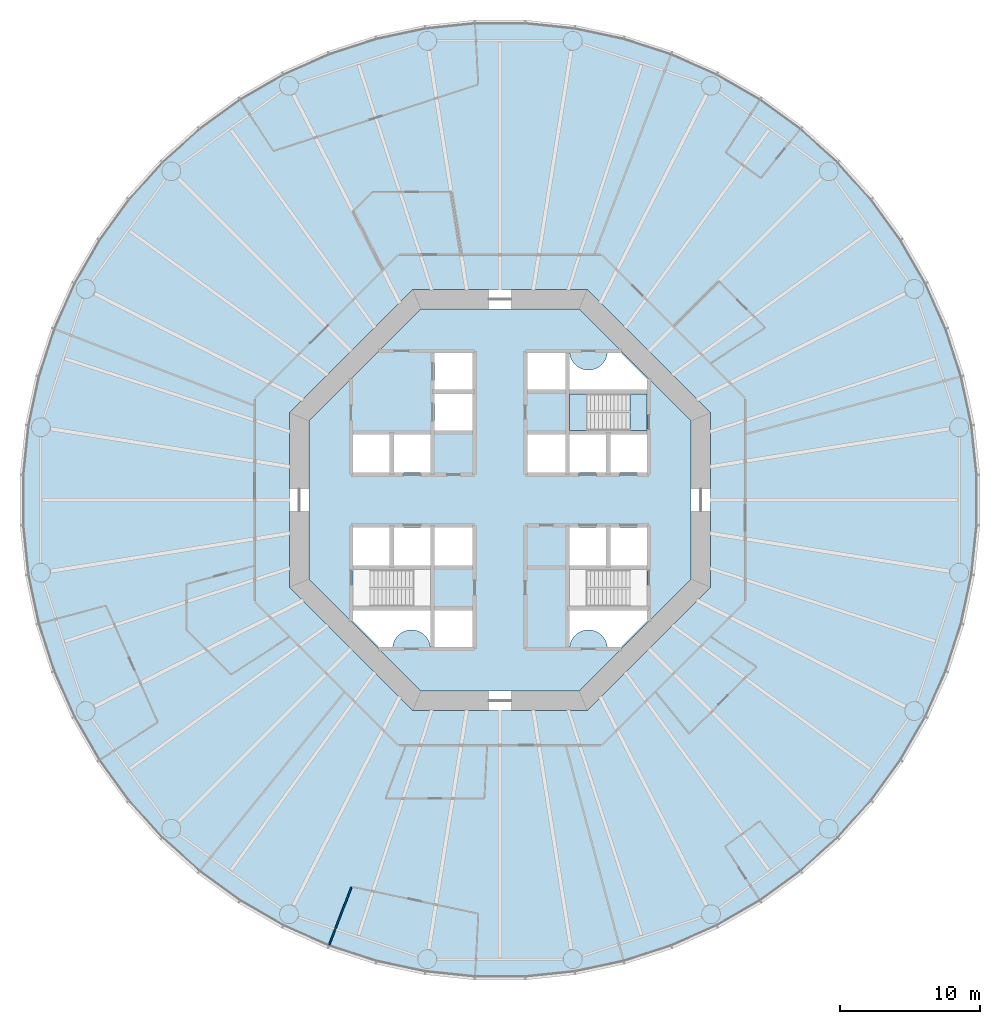
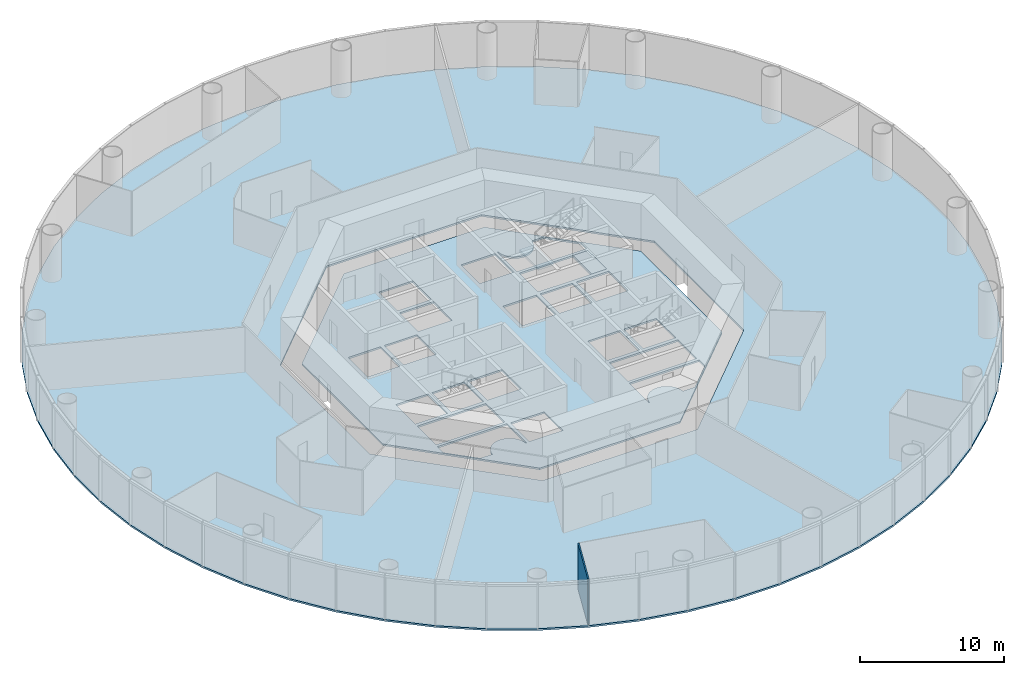
# One storey, part 2 of 13: 4 slabs, 1 wall, 1 element without a shape of its own.
"""IFC4 building model written with IfcOpenShell, lengths in metres."""

import ifcopenshell
import ifcopenshell.guid

model = None  # the IFC model being written
_history = None  # IfcOwnerHistory: only IFC2X3 demands one
_inside = {}  # id of a spatial element -> (the spatial element, [elements in it])
_under = {}  # id of a project, library or spatial element -> (it, [spatial elements below it])
_declared = {}  # id of a project -> (the project, [libraries it declares])
_typed = {}  # id of a type object -> (the type object, [elements of that type])
_made_of = {}  # id of a material, layer set ... -> (it, [elements and type objects made of it])


def new_model(schema):
    """Start an empty IFC model of exactly this schema.

    Asked for "IFC4X3", IfcOpenShell would pick the latest addendum, in which some entities
    have other attributes; the version numbers below select the first issue.
    IFC2X3 requires an IfcOwnerHistory on every rooted entity: one is made here for all.
    """
    global model, _history
    if schema == "IFC4X3":
        model = ifcopenshell.file(schema_version=(4, 3, 0, 0))
    else:
        model = ifcopenshell.file(schema=schema)
    _inside.clear()
    _under.clear()
    _declared.clear()
    _typed.clear()
    _made_of.clear()
    _history = None
    if model.schema == "IFC2X3":
        org = make("IfcOrganization", Name="unknown")
        user = make(
            "IfcPersonAndOrganization",
            ThePerson=make("IfcPerson", FamilyName="unknown"),
            TheOrganization=org,
        )
        app = make(
            "IfcApplication",
            ApplicationDeveloper=org,
            Version="unknown",
            ApplicationFullName="unknown",
            ApplicationIdentifier="unknown",
        )
        _history = make(
            "IfcOwnerHistory",
            OwningUser=user,
            OwningApplication=app,
            ChangeAction="ADDED",
            CreationDate=0,
        )
    return model


def make(cls, **values):
    """One entity of the class cls with the attributes given. An attribute that is None is left unset."""
    return model.create_entity(
        cls, **{name: value for name, value in values.items() if value is not None}
    )


def rooted(cls, **values):
    """An entity with a GlobalId (a new one), such as an element, a storey or a relation."""
    return make(cls, GlobalId=ifcopenshell.guid.new(), OwnerHistory=_history, **values)


def si_unit(unit_type, name, prefix=None):
    """IfcSIUnit, for example si_unit("LENGTHUNIT", "METRE", prefix="MILLI")."""
    return make("IfcSIUnit", UnitType=unit_type, Prefix=prefix, Name=name)


def assignment(units):
    """IfcUnitAssignment: the units of a project."""
    return None if units is None else make("IfcUnitAssignment", Units=units)


def point(xyz):
    """IfcCartesianPoint."""
    return None if xyz is None else make("IfcCartesianPoint", Coordinates=xyz)


def direction(xyz):
    """IfcDirection."""
    return None if xyz is None else make("IfcDirection", DirectionRatios=xyz)


def frame(location, z_axis=None, x_axis=None):
    """IfcAxis2Placement3D, a coordinate frame: its origin and axes. An axis left out is left unset."""
    return make(
        "IfcAxis2Placement3D",
        Location=point(location),
        Axis=direction(z_axis),
        RefDirection=direction(x_axis),
    )


def frame_2d(location, x_axis=None):
    """IfcAxis2Placement2D, a coordinate frame in the plane: its origin and x axis."""
    return make(
        "IfcAxis2Placement2D", Location=point(location), RefDirection=direction(x_axis)
    )


def origin():
    """The frame at (0, 0, 0) with its axes left unset."""
    return frame((0.0, 0.0, 0.0))


def place(relative_to, where):
    """IfcLocalPlacement: puts the frame where relative to a parent placement (None: the world)."""
    return make(
        "IfcLocalPlacement", PlacementRelTo=relative_to, RelativePlacement=where
    )


def context(
    kind, dimensions, precision=None, world=None, true_north=None, identifier=None
):
    """IfcGeometricRepresentationContext, for example the 3D "Model" context."""
    return make(
        "IfcGeometricRepresentationContext",
        ContextIdentifier=identifier,
        ContextType=kind,
        CoordinateSpaceDimension=dimensions,
        Precision=precision,
        WorldCoordinateSystem=world,
        TrueNorth=true_north,
    )


def subcontext(parent, identifier, kind, view, scale=None):
    """IfcGeometricRepresentationSubContext, for example "Body" below "Model"."""
    return make(
        "IfcGeometricRepresentationSubContext",
        ContextIdentifier=identifier,
        ContextType=kind,
        ParentContext=parent,
        TargetScale=scale,
        TargetView=view,
    )


def project(units=None, contexts=None):
    """IfcProject with its units and contexts."""
    return rooted(
        "IfcProject",
        Name="project",
        RepresentationContexts=contexts,
        UnitsInContext=assignment(units),
    )


def spatial(cls, under=None, at=None, **own):
    """A site, building, storey or space (cls), placed at a placement, below another one or the project."""
    s = rooted(cls, ObjectPlacement=at, **own)
    if under is not None:
        _under.setdefault(under.id(), (under, []))[1].append(s)
    return s


def polyline(points):
    """IfcPolyline through the points."""
    return make("IfcPolyline", Points=[point(p) for p in points])


def profile(cls, at=None, kind="AREA", **sizes):
    """A parametric profile (cls). Its sizes go by their IFC names, for example OverallWidth=200.0."""
    return make(cls, ProfileType=kind, Position=at, **sizes)


def rectangle(**sizes):
    """IfcRectangleProfileDef."""
    return profile("IfcRectangleProfileDef", **sizes)


def outline(outer, holes=None, kind="AREA"):
    """IfcArbitraryClosedProfileDef: a profile drawn as a closed curve; with holes, ...WithVoids."""
    if holes is None:
        return make("IfcArbitraryClosedProfileDef", ProfileType=kind, OuterCurve=outer)
    return make(
        "IfcArbitraryProfileDefWithVoids",
        ProfileType=kind,
        OuterCurve=outer,
        InnerCurves=holes,
    )


def extrude(swept, where, along, depth):
    """IfcExtrudedAreaSolid: the profile swept, set in the frame where, extruded along a direction by depth."""
    return make(
        "IfcExtrudedAreaSolid",
        SweptArea=swept,
        Position=where,
        ExtrudedDirection=direction(along),
        Depth=depth,
    )


def shape(context_of_items, identifier, shape_type, items):
    """IfcShapeRepresentation: the items that make up one representation, for example the "Body"."""
    return make(
        "IfcShapeRepresentation",
        ContextOfItems=context_of_items,
        RepresentationIdentifier=identifier,
        RepresentationType=shape_type,
        Items=items,
    )


def material(Name=None, Category=None):
    """IfcMaterial."""
    return make("IfcMaterial", Name=Name, Category=Category)


def layer(
    of_material, thickness, ventilated=None, Name=None, Category=None, Priority=None
):
    """IfcMaterialLayer: one layer of a wall or slab, of a material (None: an air gap)."""
    return make(
        "IfcMaterialLayer",
        Material=of_material,
        LayerThickness=thickness,
        IsVentilated=ventilated,
        Name=Name,
        Category=Category,
        Priority=Priority,
    )


def layer_set(layers, Name=None):
    """IfcMaterialLayerSet."""
    return make("IfcMaterialLayerSet", MaterialLayers=layers, LayerSetName=Name)


def made_of(thing, what):
    """Note that an element or type object is made of a material, layer set ...; save() writes the relation."""
    if what is not None:
        _made_of.setdefault(what.id(), (what, []))[1].append(thing)
    return thing


def type_object(cls, material=None, **own):
    """A type object (cls), such as IfcWallType, which elements share."""
    return made_of(rooted(cls, **own), material)


def element(
    cls,
    number,
    at=None,
    inside=None,
    cuts=None,
    type_object=None,
    material=None,
    context=None,
    identifier="Body",
    shape_type=None,
    held_by="IfcProductDefinitionShape",
    body=None,
    shapes=None,
    **own,
):
    """One element of the class cls, such as IfcWall. Its Tag is "e" and its number.

    at: its placement. inside: the storey or other place that contains it. cuts: it is an
    opening in that element (IfcRelVoidsElement). A single representation is given by context,
    identifier, shape_type and body (its items); several are given by shapes. held_by: the class
    of the entity that holds the representations. save() writes the other relations.
    """
    e = rooted(cls, Tag="e%d" % number, ObjectPlacement=at, **own)
    if body is not None:
        shapes = [shape(context, identifier, shape_type, body)]
    if shapes is not None:
        e.Representation = make(held_by, Representations=shapes)
    if inside is not None:
        _inside.setdefault(inside.id(), (inside, []))[1].append(e)
    if cuts is not None:
        rooted(
            "IfcRelVoidsElement", RelatingBuildingElement=cuts, RelatedOpeningElement=e
        )
    if type_object is not None:
        _typed.setdefault(type_object.id(), (type_object, []))[1].append(e)
    return made_of(e, material)


def aggregate(whole, parts):
    """IfcRelAggregates: a whole, such as a stair, and the parts it consists of."""
    return rooted("IfcRelAggregates", RelatingObject=whole, RelatedObjects=parts)


def save(model, path):
    """Write the relations noted so far, then the file.

    IfcRelAggregates (storeys below a building ...), IfcRelContainedInSpatialStructure (elements
    in a storey), IfcRelDefinesByType, IfcRelAssociatesMaterial and IfcRelDeclares: one each for
    every whole, place, type object, material and project.
    """
    for whole, parts in _under.values():
        aggregate(whole, parts)
    for where, things in _inside.values():
        rooted(
            "IfcRelContainedInSpatialStructure",
            RelatedElements=things,
            RelatingStructure=where,
        )
    for kind, things in _typed.values():
        rooted("IfcRelDefinesByType", RelatedObjects=things, RelatingType=kind)
    for what, things in _made_of.values():
        rooted("IfcRelAssociatesMaterial", RelatedObjects=things, RelatingMaterial=what)
    for by, libraries in _declared.values():
        rooted("IfcRelDeclares", RelatingContext=by, RelatedDefinitions=libraries)
    model.write(path)


model = new_model("IFC4")

# Units and contexts
model_context = context("Model", 3, precision=1e-05, world=origin(), true_north=direction((0.0, 1.0)))
body_context = subcontext(model_context, "Body", "Model", "MODEL_VIEW")
ifc_project = project(units=[si_unit("LENGTHUNIT", "METRE"), si_unit("AREAUNIT", "SQUARE_METRE"), si_unit("VOLUMEUNIT", "CUBIC_METRE"), si_unit("PLANEANGLEUNIT", "RADIAN"), si_unit("MASSUNIT", "GRAM", prefix="KILO")], contexts=[model_context])

# Site, building, storey
site_placement = place(None, origin())
site = spatial("IfcSite", under=ifc_project, at=site_placement, CompositionType="ELEMENT")
building_placement = place(site_placement, origin())
building = spatial("IfcBuilding", under=site, at=building_placement, Name="Entoto Ring Tower", CompositionType="ELEMENT")
storey_placement = place(building_placement, frame((0.0, 0.0, 26.0)))
storey = spatial("IfcBuildingStorey", under=building, at=storey_placement, Name="L04", CompositionType="ELEMENT", Elevation=26.0)

# Slabs
ifc_material_1 = material(Name="Concrete C30/37", Category="concrete")
ifc_layer_1 = layer(ifc_material_1, 0.14990234375)
ifc_layer_set_1 = layer_set([ifc_layer_1], Name="Concrete C30/37")
slab_type_1 = type_object("IfcSlabType", Name="Composite floor slab 150 mm", PredefinedType="FLOOR", material=ifc_layer_set_1)
slab_1_placement = place(storey_placement, frame((0.0, 0.0, -0.14990234375)))
element("IfcSlab", 1, at=slab_1_placement, inside=storey, type_object=slab_type_1, Name="Floor slab L04", PredefinedType="FLOOR", context=body_context, shape_type="SweptSolid", body=[
    extrude(outline(polyline([(123.68017578125, 85.33447265625), (122.93798828125, 88.82568359375), (121.835205078125, 92.220458984375), (120.38330078125, 95.48095703125), (118.5986328125, 98.572265625), (116.500732421875, 101.459716796875), (114.1123046875, 104.1123046875), (111.459716796875, 106.500732421875), (108.572265625, 108.5986328125), (105.48095703125, 110.38330078125), (102.220458984375, 111.835205078125), (98.82568359375, 112.93798828125), (95.33447265625, 113.68017578125), (91.78466796875, 114.05322265625), (88.21533203125, 114.05322265625), (84.66552734375, 113.68017578125), (81.17431640625, 112.93798828125), (77.779541015625, 111.835205078125), (74.51904296875, 110.38330078125), (71.427734375, 108.5986328125), (68.540283203125, 106.500732421875), (65.8876953125, 104.1123046875), (63.499267578125, 101.459716796875), (61.4013671875, 98.572265625), (59.61669921875, 95.48095703125), (58.164794921875, 92.220458984375), (57.06201171875, 88.82568359375), (56.31982421875, 85.33447265625), (55.94677734375, 81.78466796875), (55.94677734375, 78.21533203125), (56.31982421875, 74.66552734375), (57.06201171875, 71.17431640625), (58.164794921875, 67.779541015625), (59.61669921875, 64.51904296875), (61.4013671875, 61.427734375), (63.499267578125, 58.540283203125), (65.8876953125, 55.8876953125), (68.540283203125, 53.499267578125), (71.427734375, 51.4013671875), (74.51904296875, 49.61669921875), (77.779541015625, 48.164794921875), (81.17431640625, 47.06201171875), (84.66552734375, 46.31982421875), (88.21533203125, 45.94677734375), (91.78466796875, 45.94677734375), (95.33447265625, 46.31982421875), (98.82568359375, 47.06201171875), (102.220458984375, 48.164794921875), (105.48095703125, 49.61669921875), (108.572265625, 51.4013671875), (111.459716796875, 53.499267578125), (114.1123046875, 55.8876953125), (116.500732421875, 58.540283203125), (118.5986328125, 61.427734375), (120.38330078125, 64.51904296875), (121.835205078125, 67.779541015625), (122.93798828125, 71.17431640625), (123.68017578125, 74.66552734375), (124.05322265625, 78.21533203125), (124.05322265625, 81.78466796875), (123.68017578125, 85.33447265625)]), holes=[polyline([(105.0, 73.786865234375), (105.0, 86.213134765625), (96.213134765625, 95.0), (83.786865234375, 95.0), (75.0, 86.213134765625), (75.0, 73.786865234375), (83.786865234375, 65.0), (96.213134765625, 65.0), (105.0, 73.786865234375)])]), origin(), (0.0, 0.0, 1.0), 0.14990234375),
])
ifc_material_2 = material(Name="Concrete C40/50", Category="concrete")
ifc_layer_2 = layer(ifc_material_2, 0.14990234375)
ifc_layer_set_2 = layer_set([ifc_layer_2], Name="Concrete C40/50")
slab_type_2 = type_object("IfcSlabType", Name="Core floor slab 150 mm reinforced concrete C40/50", PredefinedType="FLOOR", material=ifc_layer_set_2)
slab_2_placement = place(storey_placement, frame((0.0, 0.0, -0.14990234375)))
element("IfcSlab", 2, at=slab_2_placement, inside=storey, type_object=slab_type_2, Name="Core floor L04", PredefinedType="FLOOR", context=body_context, shape_type="SweptSolid", body=[
    extrude(outline(polyline([(103.60009765625, 74.36669921875), (103.60009765625, 85.63330078125), (95.63330078125, 93.60009765625), (84.36669921875, 93.60009765625), (76.39990234375, 85.63330078125), (76.39990234375, 74.36669921875), (84.36669921875, 66.39990234375), (95.63330078125, 66.39990234375), (103.60009765625, 74.36669921875)]), holes=[polyline([(100.449951171875, 84.949951171875), (100.449951171875, 87.550048828125), (94.949951171875, 87.550048828125), (94.949951171875, 84.949951171875), (100.449951171875, 84.949951171875)]), polyline([(85.050048828125, 72.449951171875), (85.050048828125, 75.050048828125), (79.550048828125, 75.050048828125), (79.550048828125, 72.449951171875), (85.050048828125, 72.449951171875)]), polyline([(100.449951171875, 72.449951171875), (100.449951171875, 75.050048828125), (94.949951171875, 75.050048828125), (94.949951171875, 72.449951171875), (100.449951171875, 72.449951171875)]), polyline([(94.949951171875, 81.949951171875), (97.550048828125, 81.949951171875), (97.550048828125, 84.64990234375), (94.949951171875, 84.64990234375), (94.949951171875, 81.949951171875)]), polyline([(97.85009765625, 81.949951171875), (100.449951171875, 81.949951171875), (100.449951171875, 84.64990234375), (97.85009765625, 84.64990234375), (97.85009765625, 81.949951171875)]), polyline([(82.449951171875, 81.949951171875), (85.050048828125, 81.949951171875), (85.050048828125, 84.64990234375), (82.449951171875, 84.64990234375), (82.449951171875, 81.949951171875)]), polyline([(94.949951171875, 75.35009765625), (97.550048828125, 75.35009765625), (97.550048828125, 78.050048828125), (94.949951171875, 78.050048828125), (94.949951171875, 75.35009765625)]), polyline([(97.85009765625, 75.35009765625), (100.449951171875, 75.35009765625), (100.449951171875, 78.050048828125), (97.85009765625, 78.050048828125), (97.85009765625, 75.35009765625)]), polyline([(82.449951171875, 75.35009765625), (85.050048828125, 75.35009765625), (85.050048828125, 78.050048828125), (82.449951171875, 78.050048828125), (82.449951171875, 75.35009765625)]), polyline([(79.550048828125, 81.949951171875), (82.14990234375, 81.949951171875), (82.14990234375, 84.64990234375), (79.550048828125, 84.64990234375), (79.550048828125, 81.949951171875)]), polyline([(79.550048828125, 75.35009765625), (82.14990234375, 75.35009765625), (82.14990234375, 78.050048828125), (79.550048828125, 78.050048828125), (79.550048828125, 75.35009765625)]), polyline([(91.949951171875, 87.85009765625), (94.64990234375, 87.85009765625), (94.64990234375, 90.449951171875), (91.949951171875, 90.449951171875), (91.949951171875, 87.85009765625)]), polyline([(85.35009765625, 69.550048828125), (88.050048828125, 69.550048828125), (88.050048828125, 72.14990234375), (85.35009765625, 72.14990234375), (85.35009765625, 69.550048828125)]), polyline([(91.949951171875, 81.949951171875), (94.64990234375, 81.949951171875), (94.64990234375, 84.64990234375), (91.949951171875, 84.64990234375), (91.949951171875, 81.949951171875)]), polyline([(85.35009765625, 75.35009765625), (88.050048828125, 75.35009765625), (88.050048828125, 78.050048828125), (85.35009765625, 78.050048828125), (85.35009765625, 75.35009765625)]), polyline([(85.35009765625, 84.949951171875), (88.050048828125, 84.949951171875), (88.050048828125, 87.550048828125), (85.35009765625, 87.550048828125), (85.35009765625, 84.949951171875)]), polyline([(85.35009765625, 87.85009765625), (88.050048828125, 87.85009765625), (88.050048828125, 90.449951171875), (85.35009765625, 90.449951171875), (85.35009765625, 87.85009765625)]), polyline([(94.89990234375, 90.5), (94.89990234375, 87.800048828125), (100.5, 87.800048828125), (100.5, 88.591796875), (98.591796875, 90.5), (97.64501953125, 90.5), (97.6435546875, 90.4677734375), (97.6240234375, 90.336669921875), (97.591796875, 90.2080078125), (97.547119140625, 90.08349609375), (97.490478515625, 89.963623046875), (97.422607421875, 89.85009765625), (97.343505859375, 89.74365234375), (97.254638671875, 89.6455078125), (97.156494140625, 89.556396484375), (97.050048828125, 89.4775390625), (96.936279296875, 89.409423828125), (96.816650390625, 89.352783203125), (96.69189453125, 89.30810546875), (96.5634765625, 89.27587890625), (96.432373046875, 89.256591796875), (96.300048828125, 89.25), (96.167724609375, 89.256591796875), (96.03662109375, 89.27587890625), (95.908203125, 89.30810546875), (95.783447265625, 89.352783203125), (95.66357421875, 89.409423828125), (95.550048828125, 89.4775390625), (95.443603515625, 89.556396484375), (95.345458984375, 89.6455078125), (95.25634765625, 89.74365234375), (95.177490234375, 89.85009765625), (95.109375, 89.963623046875), (95.052734375, 90.08349609375), (95.008056640625, 90.2080078125), (94.975830078125, 90.336669921875), (94.95654296875, 90.4677734375), (94.954833984375, 90.5), (94.89990234375, 90.5)]), polyline([(79.5, 71.408203125), (81.408203125, 69.5), (82.35498046875, 69.5), (82.3564453125, 69.5322265625), (82.3759765625, 69.663330078125), (82.408203125, 69.7919921875), (82.452880859375, 69.91650390625), (82.509521484375, 70.036376953125), (82.577392578125, 70.14990234375), (82.656494140625, 70.25634765625), (82.745361328125, 70.3544921875), (82.843505859375, 70.443603515625), (82.949951171875, 70.5224609375), (83.063720703125, 70.590576171875), (83.183349609375, 70.647216796875), (83.30810546875, 70.69189453125), (83.4365234375, 70.72412109375), (83.567626953125, 70.743408203125), (83.699951171875, 70.75), (83.832275390625, 70.743408203125), (83.96337890625, 70.72412109375), (84.091796875, 70.69189453125), (84.216552734375, 70.647216796875), (84.33642578125, 70.590576171875), (84.449951171875, 70.5224609375), (84.556396484375, 70.443603515625), (84.654541015625, 70.3544921875), (84.74365234375, 70.25634765625), (84.822509765625, 70.14990234375), (84.890625, 70.036376953125), (84.947265625, 69.91650390625), (84.991943359375, 69.7919921875), (85.024169921875, 69.663330078125), (85.04345703125, 69.5322265625), (85.045166015625, 69.5), (85.10009765625, 69.5), (85.10009765625, 72.199951171875), (79.5, 72.199951171875), (79.5, 71.408203125)]), polyline([(97.64501953125, 69.5), (98.591796875, 69.5), (100.5, 71.408203125), (100.5, 72.199951171875), (94.89990234375, 72.199951171875), (94.89990234375, 69.5), (94.954833984375, 69.5), (94.95654296875, 69.5322265625), (94.975830078125, 69.663330078125), (95.008056640625, 69.7919921875), (95.052734375, 69.91650390625), (95.109375, 70.036376953125), (95.177490234375, 70.14990234375), (95.25634765625, 70.25634765625), (95.345458984375, 70.3544921875), (95.443603515625, 70.443603515625), (95.550048828125, 70.5224609375), (95.66357421875, 70.590576171875), (95.783447265625, 70.647216796875), (95.908203125, 70.69189453125), (96.03662109375, 70.72412109375), (96.167724609375, 70.743408203125), (96.300048828125, 70.75), (96.432373046875, 70.743408203125), (96.5634765625, 70.72412109375), (96.69189453125, 70.69189453125), (96.816650390625, 70.647216796875), (96.936279296875, 70.590576171875), (97.050048828125, 70.5224609375), (97.156494140625, 70.443603515625), (97.254638671875, 70.3544921875), (97.343505859375, 70.25634765625), (97.422607421875, 70.14990234375), (97.490478515625, 70.036376953125), (97.547119140625, 69.91650390625), (97.591796875, 69.7919921875), (97.6240234375, 69.663330078125), (97.6435546875, 69.5322265625), (97.64501953125, 69.5)])]), origin(), (0.0, 0.0, 1.0), 0.14990234375),
])

# Stair, slabs
ifc_material_3 = material(Name="Concrete C40/50", Category="concrete")
stair_type = type_object("IfcStairType", Name="Exit stair 1200 mm dog-leg reinforced concrete", PredefinedType="HALF_TURN_STAIR", material=ifc_material_3)
stair_placement = place(storey_placement, origin())
stair = element("IfcStair", 3, at=stair_placement, inside=storey, type_object=stair_type, Name="Exit stair 1", PredefinedType="HALF_TURN_STAIR")
ifc_material_4 = material(Name="Concrete C40/50", Category="concrete")
ifc_layer_3 = layer(ifc_material_4, 0.199951171875)
ifc_layer_set_3 = layer_set([ifc_layer_3], Name="Concrete C40/50")
slab_type_3 = type_object("IfcSlabType", Name="Stair landing 200 mm reinforced concrete", PredefinedType="LANDING", material=ifc_layer_set_3)
slab_3_placement = place(storey_placement, frame((0.0, 0.0, -0.199951171875)))
slab_3 = element("IfcSlab", 4, at=slab_3_placement, type_object=slab_type_3, Name="ST1 landing 1", PredefinedType="LANDING", context=body_context, shape_type="SweptSolid", body=[
    extrude(outline(polyline([(100.449951171875, 84.949951171875), (100.449951171875, 87.550048828125), (99.25, 87.550048828125), (99.25, 84.949951171875), (100.449951171875, 84.949951171875)])), origin(), (0.0, 0.0, 1.0), 0.199951171875),
])
slab_4_placement = place(storey_placement, frame((0.0, 0.0, 1.800048828125)))
slab_4 = element("IfcSlab", 5, at=slab_4_placement, type_object=slab_type_3, Name="ST1 landing 2", PredefinedType="LANDING", context=body_context, shape_type="SweptSolid", body=[
    extrude(outline(polyline([(94.949951171875, 84.949951171875), (96.169921875, 84.949951171875), (96.169921875, 87.550048828125), (94.949951171875, 87.550048828125), (94.949951171875, 84.949951171875)])), origin(), (0.0, 0.0, 1.0), 0.199951171875),
])
aggregate(stair, [slab_3, slab_4])

# Wall
ifc_material_5 = material(Name="Plasterboard on steel studs", Category="steel")
ifc_layer_4 = layer(ifc_material_5, 0.10009765625)
ifc_layer_set_4 = layer_set([ifc_layer_4], Name="Plasterboard on steel studs")
wall_type = type_object("IfcWallType", Name="Partition 100 mm plasterboard on steel studs", PredefinedType="PARTITIONING", material=ifc_layer_set_4)
wall_placement = place(storey_placement, frame((77.8369140625, 48.314208984375, 0.0), z_axis=(0.0, 0.0, 1.0), x_axis=(0.358384196855, 0.933574189577, 0.0)))
element("IfcWall", 6, at=wall_placement, inside=storey, type_object=wall_type, Name="partition-L04-034", PredefinedType="PARTITIONING", context=body_context, shape_type="SweptSolid", body=[
    extrude(rectangle(XDim=4.400634765625, YDim=0.10009765625, at=frame_2d((2.2001953125, 0.0))), origin(), (0.0, 0.0, 1.0), 3.85009765625),
])

save(model, "model.ifc")
